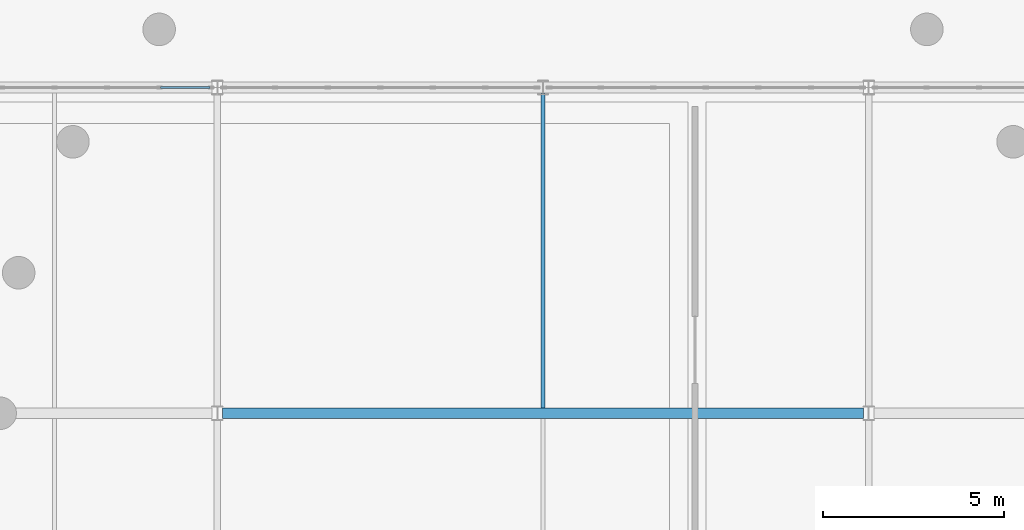
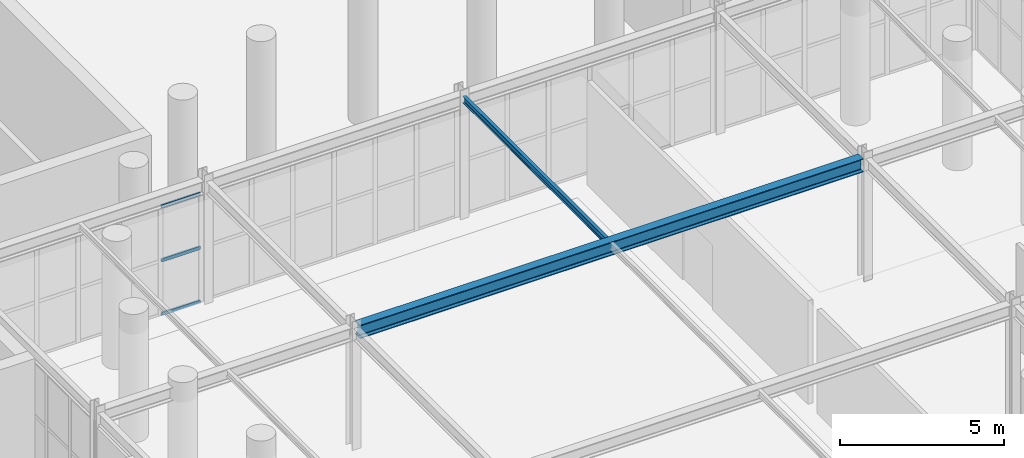
# One storey, part 9 of 29: 3 members, 2 beams, 1 element without a shape of its own.
"""IFC4 building model written with IfcOpenShell, lengths in metres."""

import ifcopenshell
import ifcopenshell.guid

model = None  # the IFC model being written
_history = None  # IfcOwnerHistory: only IFC2X3 demands one
_inside = {}  # id of a spatial element -> (the spatial element, [elements in it])
_under = {}  # id of a project, library or spatial element -> (it, [spatial elements below it])
_declared = {}  # id of a project -> (the project, [libraries it declares])
_typed = {}  # id of a type object -> (the type object, [elements of that type])
_made_of = {}  # id of a material, layer set ... -> (it, [elements and type objects made of it])


def new_model(schema):
    """Start an empty IFC model of exactly this schema.

    Asked for "IFC4X3", IfcOpenShell would pick the latest addendum, in which some entities
    have other attributes; the version numbers below select the first issue.
    IFC2X3 requires an IfcOwnerHistory on every rooted entity: one is made here for all.
    """
    global model, _history
    if schema == "IFC4X3":
        model = ifcopenshell.file(schema_version=(4, 3, 0, 0))
    else:
        model = ifcopenshell.file(schema=schema)
    _inside.clear()
    _under.clear()
    _declared.clear()
    _typed.clear()
    _made_of.clear()
    _history = None
    if model.schema == "IFC2X3":
        org = make("IfcOrganization", Name="unknown")
        user = make(
            "IfcPersonAndOrganization",
            ThePerson=make("IfcPerson", FamilyName="unknown"),
            TheOrganization=org,
        )
        app = make(
            "IfcApplication",
            ApplicationDeveloper=org,
            Version="unknown",
            ApplicationFullName="unknown",
            ApplicationIdentifier="unknown",
        )
        _history = make(
            "IfcOwnerHistory",
            OwningUser=user,
            OwningApplication=app,
            ChangeAction="ADDED",
            CreationDate=0,
        )
    return model


def make(cls, **values):
    """One entity of the class cls with the attributes given. An attribute that is None is left unset."""
    return model.create_entity(
        cls, **{name: value for name, value in values.items() if value is not None}
    )


def rooted(cls, **values):
    """An entity with a GlobalId (a new one), such as an element, a storey or a relation."""
    return make(cls, GlobalId=ifcopenshell.guid.new(), OwnerHistory=_history, **values)


def si_unit(unit_type, name, prefix=None):
    """IfcSIUnit, for example si_unit("LENGTHUNIT", "METRE", prefix="MILLI")."""
    return make("IfcSIUnit", UnitType=unit_type, Prefix=prefix, Name=name)


def assignment(units):
    """IfcUnitAssignment: the units of a project."""
    return None if units is None else make("IfcUnitAssignment", Units=units)


def point(xyz):
    """IfcCartesianPoint."""
    return None if xyz is None else make("IfcCartesianPoint", Coordinates=xyz)


def direction(xyz):
    """IfcDirection."""
    return None if xyz is None else make("IfcDirection", DirectionRatios=xyz)


def frame(location, z_axis=None, x_axis=None):
    """IfcAxis2Placement3D, a coordinate frame: its origin and axes. An axis left out is left unset."""
    return make(
        "IfcAxis2Placement3D",
        Location=point(location),
        Axis=direction(z_axis),
        RefDirection=direction(x_axis),
    )


def frame_2d(location, x_axis=None):
    """IfcAxis2Placement2D, a coordinate frame in the plane: its origin and x axis."""
    return make(
        "IfcAxis2Placement2D", Location=point(location), RefDirection=direction(x_axis)
    )


def origin():
    """The frame at (0, 0, 0) with its axes left unset."""
    return frame((0.0, 0.0, 0.0))


def origin_2d():
    """The frame at (0, 0) in the plane with its x axis left unset."""
    return frame_2d((0.0, 0.0))


def place(relative_to, where):
    """IfcLocalPlacement: puts the frame where relative to a parent placement (None: the world)."""
    return make(
        "IfcLocalPlacement", PlacementRelTo=relative_to, RelativePlacement=where
    )


def context(
    kind, dimensions, precision=None, world=None, true_north=None, identifier=None
):
    """IfcGeometricRepresentationContext, for example the 3D "Model" context."""
    return make(
        "IfcGeometricRepresentationContext",
        ContextIdentifier=identifier,
        ContextType=kind,
        CoordinateSpaceDimension=dimensions,
        Precision=precision,
        WorldCoordinateSystem=world,
        TrueNorth=true_north,
    )


def subcontext(parent, identifier, kind, view, scale=None):
    """IfcGeometricRepresentationSubContext, for example "Body" below "Model"."""
    return make(
        "IfcGeometricRepresentationSubContext",
        ContextIdentifier=identifier,
        ContextType=kind,
        ParentContext=parent,
        TargetScale=scale,
        TargetView=view,
    )


def project(units=None, contexts=None):
    """IfcProject with its units and contexts."""
    return rooted(
        "IfcProject",
        Name="project",
        RepresentationContexts=contexts,
        UnitsInContext=assignment(units),
    )


def spatial(cls, under=None, at=None, **own):
    """A site, building, storey or space (cls), placed at a placement, below another one or the project."""
    s = rooted(cls, ObjectPlacement=at, **own)
    if under is not None:
        _under.setdefault(under.id(), (under, []))[1].append(s)
    return s


def profile(cls, at=None, kind="AREA", **sizes):
    """A parametric profile (cls). Its sizes go by their IFC names, for example OverallWidth=200.0."""
    return make(cls, ProfileType=kind, Position=at, **sizes)


def hollow_rectangle(**sizes):
    """IfcRectangleHollowProfileDef."""
    return profile("IfcRectangleHollowProfileDef", **sizes)


def i_section(**sizes):
    """IfcIShapeProfileDef."""
    return profile("IfcIShapeProfileDef", **sizes)


def extrude(swept, where, along, depth):
    """IfcExtrudedAreaSolid: the profile swept, set in the frame where, extruded along a direction by depth."""
    return make(
        "IfcExtrudedAreaSolid",
        SweptArea=swept,
        Position=where,
        ExtrudedDirection=direction(along),
        Depth=depth,
    )


def shape(context_of_items, identifier, shape_type, items):
    """IfcShapeRepresentation: the items that make up one representation, for example the "Body"."""
    return make(
        "IfcShapeRepresentation",
        ContextOfItems=context_of_items,
        RepresentationIdentifier=identifier,
        RepresentationType=shape_type,
        Items=items,
    )


def material(Name=None, Category=None):
    """IfcMaterial."""
    return make("IfcMaterial", Name=Name, Category=Category)


def layer(
    of_material, thickness, ventilated=None, Name=None, Category=None, Priority=None
):
    """IfcMaterialLayer: one layer of a wall or slab, of a material (None: an air gap)."""
    return make(
        "IfcMaterialLayer",
        Material=of_material,
        LayerThickness=thickness,
        IsVentilated=ventilated,
        Name=Name,
        Category=Category,
        Priority=Priority,
    )


def layer_set(layers, Name=None):
    """IfcMaterialLayerSet."""
    return make("IfcMaterialLayerSet", MaterialLayers=layers, LayerSetName=Name)


def material_profile(
    of_material, cross_section, Name=None, Category=None, Priority=None
):
    """IfcMaterialProfile: a cross section and its material."""
    return make(
        "IfcMaterialProfile",
        Name=Name,
        Material=of_material,
        Profile=cross_section,
        Priority=Priority,
        Category=Category,
    )


def profile_set(profiles, Name=None, composite=None):
    """IfcMaterialProfileSet."""
    return make(
        "IfcMaterialProfileSet",
        Name=Name,
        MaterialProfiles=profiles,
        CompositeProfile=composite,
    )


def made_of(thing, what):
    """Note that an element or type object is made of a material, layer set ...; save() writes the relation."""
    if what is not None:
        _made_of.setdefault(what.id(), (what, []))[1].append(thing)
    return thing


def type_object(cls, material=None, **own):
    """A type object (cls), such as IfcWallType, which elements share."""
    return made_of(rooted(cls, **own), material)


def element(
    cls,
    number,
    at=None,
    inside=None,
    cuts=None,
    type_object=None,
    material=None,
    context=None,
    identifier="Body",
    shape_type=None,
    held_by="IfcProductDefinitionShape",
    body=None,
    shapes=None,
    **own,
):
    """One element of the class cls, such as IfcWall. Its Tag is "e" and its number.

    at: its placement. inside: the storey or other place that contains it. cuts: it is an
    opening in that element (IfcRelVoidsElement). A single representation is given by context,
    identifier, shape_type and body (its items); several are given by shapes. held_by: the class
    of the entity that holds the representations. save() writes the other relations.
    """
    e = rooted(cls, Tag="e%d" % number, ObjectPlacement=at, **own)
    if body is not None:
        shapes = [shape(context, identifier, shape_type, body)]
    if shapes is not None:
        e.Representation = make(held_by, Representations=shapes)
    if inside is not None:
        _inside.setdefault(inside.id(), (inside, []))[1].append(e)
    if cuts is not None:
        rooted(
            "IfcRelVoidsElement", RelatingBuildingElement=cuts, RelatedOpeningElement=e
        )
    if type_object is not None:
        _typed.setdefault(type_object.id(), (type_object, []))[1].append(e)
    return made_of(e, material)


def aggregate(whole, parts):
    """IfcRelAggregates: a whole, such as a stair, and the parts it consists of."""
    return rooted("IfcRelAggregates", RelatingObject=whole, RelatedObjects=parts)


def save(model, path):
    """Write the relations noted so far, then the file.

    IfcRelAggregates (storeys below a building ...), IfcRelContainedInSpatialStructure (elements
    in a storey), IfcRelDefinesByType, IfcRelAssociatesMaterial and IfcRelDeclares: one each for
    every whole, place, type object, material and project.
    """
    for whole, parts in _under.values():
        aggregate(whole, parts)
    for where, things in _inside.values():
        rooted(
            "IfcRelContainedInSpatialStructure",
            RelatedElements=things,
            RelatingStructure=where,
        )
    for kind, things in _typed.values():
        rooted("IfcRelDefinesByType", RelatedObjects=things, RelatingType=kind)
    for what, things in _made_of.values():
        rooted("IfcRelAssociatesMaterial", RelatedObjects=things, RelatingMaterial=what)
    for by, libraries in _declared.values():
        rooted("IfcRelDeclares", RelatingContext=by, RelatedDefinitions=libraries)
    model.write(path)


model = new_model("IFC4")

# Units and contexts
model_context = context("Model", 3, precision=1e-05, world=origin(), true_north=direction((0.0, 1.0)))
body_context = subcontext(model_context, "Body", "Model", "MODEL_VIEW")
ifc_project = project(units=[si_unit("LENGTHUNIT", "METRE"), si_unit("AREAUNIT", "SQUARE_METRE"), si_unit("VOLUMEUNIT", "CUBIC_METRE"), si_unit("PLANEANGLEUNIT", "RADIAN"), si_unit("MASSUNIT", "GRAM", prefix="KILO")], contexts=[model_context])

# Site, building, storey
site_placement = place(None, origin())
site = spatial("IfcSite", under=ifc_project, at=site_placement, CompositionType="ELEMENT")
building_placement = place(site_placement, origin())
building = spatial("IfcBuilding", under=site, at=building_placement, Name="Dornveld Trade and Exhibition Forum", CompositionType="ELEMENT")
storey_placement = place(building_placement, frame((0.0, 0.0, 21.60009765625)))
storey = spatial("IfcBuildingStorey", under=building, at=storey_placement, Name="L04", CompositionType="ELEMENT", Elevation=21.60009765625)

# Beams
ifc_material_1 = material(Name="Steel S355J2", Category="steel")
ifc_material_profile_1 = material_profile(ifc_material_1, i_section(OverallWidth=0.300048828125, OverallDepth=0.5, WebThickness=0.014404296875, FlangeThickness=0.028076171875, FilletRadius=0.027099609375, at=origin_2d()), Name="HEB 500")
ifc_profile_set_1 = profile_set([ifc_material_profile_1], Name="Steel S355J2")
beam_type_1 = type_object("IfcBeamType", Name="BM-GIR-HEB500", PredefinedType="USERDEFINED", material=ifc_profile_set_1)
beam_1_placement = place(storey_placement, frame((108.14599609375, 81.0, 4.2998046875), z_axis=(1.0, 0.0, 0.0), x_axis=(0.0, 1.0, 0.0)))
element("IfcBeam", 1, at=beam_1_placement, inside=storey, type_object=beam_type_1, Name="L04 X-girder 1681", ObjectType="GIRDER", PredefinedType="USERDEFINED", context=body_context, shape_type="SweptSolid", body=[
    extrude(i_section(OverallWidth=0.300048828125, OverallDepth=0.5, WebThickness=0.014404296875, FlangeThickness=0.028076171875, FilletRadius=0.027099609375, at=origin_2d()), origin(), (0.0, 0.0, 1.0), 17.7080078125),
])
ifc_material_2 = material(Name="Steel S355J2", Category="steel")
ifc_material_profile_2 = material_profile(ifc_material_2, i_section(OverallWidth=0.1201171875, OverallDepth=0.239990234375, WebThickness=0.006103515625, FlangeThickness=0.009765625, FilletRadius=0.014892578125, at=origin_2d()), Name="IPE 240")
ifc_profile_set_2 = profile_set([ifc_material_profile_2], Name="Steel S355J2")
beam_type_2 = type_object("IfcBeamType", Name="BM-JOIST-240", PredefinedType="JOIST", material=ifc_profile_set_2)
beam_2_placement = place(storey_placement, frame((117.0, 81.14697265625, 4.429931640625), z_axis=(0.0, 1.0, 0.0), x_axis=(-1.0, 0.0, 0.0)))
element("IfcBeam", 2, at=beam_2_placement, inside=storey, type_object=beam_type_2, Name="L04 secondary joist 1703", PredefinedType="JOIST", context=body_context, shape_type="SweptSolid", body=[
    extrude(i_section(OverallWidth=0.1201171875, OverallDepth=0.239990234375, WebThickness=0.006103515625, FlangeThickness=0.009765625, FilletRadius=0.014892578125, at=origin_2d()), origin(), (0.0, 0.0, 1.0), 8.7060546875),
])

# Curtain wall, members
ifc_material_3 = material(Name="Dark-bronze anodised aluminium and low-E glass", Category="aluminium")
ifc_layer = layer(ifc_material_3, 0.18994140625)
ifc_layer_set = layer_set([ifc_layer], Name="Dark-bronze anodised aluminium and low-E glass")
curtain_wall_type = type_object("IfcCurtainWallType", Name="CW-SYS-16", PredefinedType="USERDEFINED", material=ifc_layer_set)
curtain_wall_placement = place(storey_placement, origin())
curtain_wall = element("IfcCurtainWall", 3, at=curtain_wall_placement, inside=storey, type_object=curtain_wall_type, Name="L04 unitised curtain wall 124", ObjectType="UNITISED_CURTAIN_WALL", PredefinedType="USERDEFINED")
ifc_material_4 = material(Name="Dark-bronze anodised aluminium", Category="aluminium")
ifc_material_profile_3 = material_profile(ifc_material_4, hollow_rectangle(XDim=0.06005859375, YDim=0.1201171875, WallThickness=0.00390625, at=origin_2d()), Name="RHS 120x60x4")
ifc_profile_set_3 = profile_set([ifc_material_profile_3], Name="Dark-bronze anodised aluminium")
member_type = type_object("IfcMemberType", Name="CW-TRN-120", PredefinedType="USERDEFINED", material=ifc_profile_set_3)
member_1_placement = place(storey_placement, frame((107.7939453125, 90.0, 0.02587890625), z_axis=(-1.0, 0.0, 0.0), x_axis=(0.0, -1.0, 0.0)))
member_1 = element("IfcMember", 4, at=member_1_placement, type_object=member_type, Name="CW-16 transom 1.1", ObjectType="TRANSOM", PredefinedType="USERDEFINED", context=body_context, shape_type="SweptSolid", body=[
    extrude(hollow_rectangle(XDim=0.06005859375, YDim=0.1201171875, WallThickness=0.00390625, at=origin_2d()), origin(), (0.0, 0.0, 1.0), 1.361328125),
])
member_2_placement = place(storey_placement, frame((107.7939453125, 90.0, 2.02783203125), z_axis=(-1.0, 0.0, 0.0), x_axis=(0.0, -1.0, 0.0)))
member_2 = element("IfcMember", 5, at=member_2_placement, type_object=member_type, Name="CW-16 transom 1.2", ObjectType="TRANSOM", PredefinedType="USERDEFINED", context=body_context, shape_type="SweptSolid", body=[
    extrude(hollow_rectangle(XDim=0.06005859375, YDim=0.1201171875, WallThickness=0.00390625, at=origin_2d()), origin(), (0.0, 0.0, 1.0), 1.361328125),
])
member_3_placement = place(storey_placement, frame((107.7939453125, 90.0, 4.02978515625), z_axis=(-1.0, 0.0, 0.0), x_axis=(0.0, -1.0, 0.0)))
member_3 = element("IfcMember", 6, at=member_3_placement, type_object=member_type, Name="CW-16 transom 1.3", ObjectType="TRANSOM", PredefinedType="USERDEFINED", context=body_context, shape_type="SweptSolid", body=[
    extrude(hollow_rectangle(XDim=0.06005859375, YDim=0.1201171875, WallThickness=0.00390625, at=origin_2d()), origin(), (0.0, 0.0, 1.0), 1.361328125),
])
aggregate(curtain_wall, [member_1, member_2, member_3])

save(model, "model.ifc")
